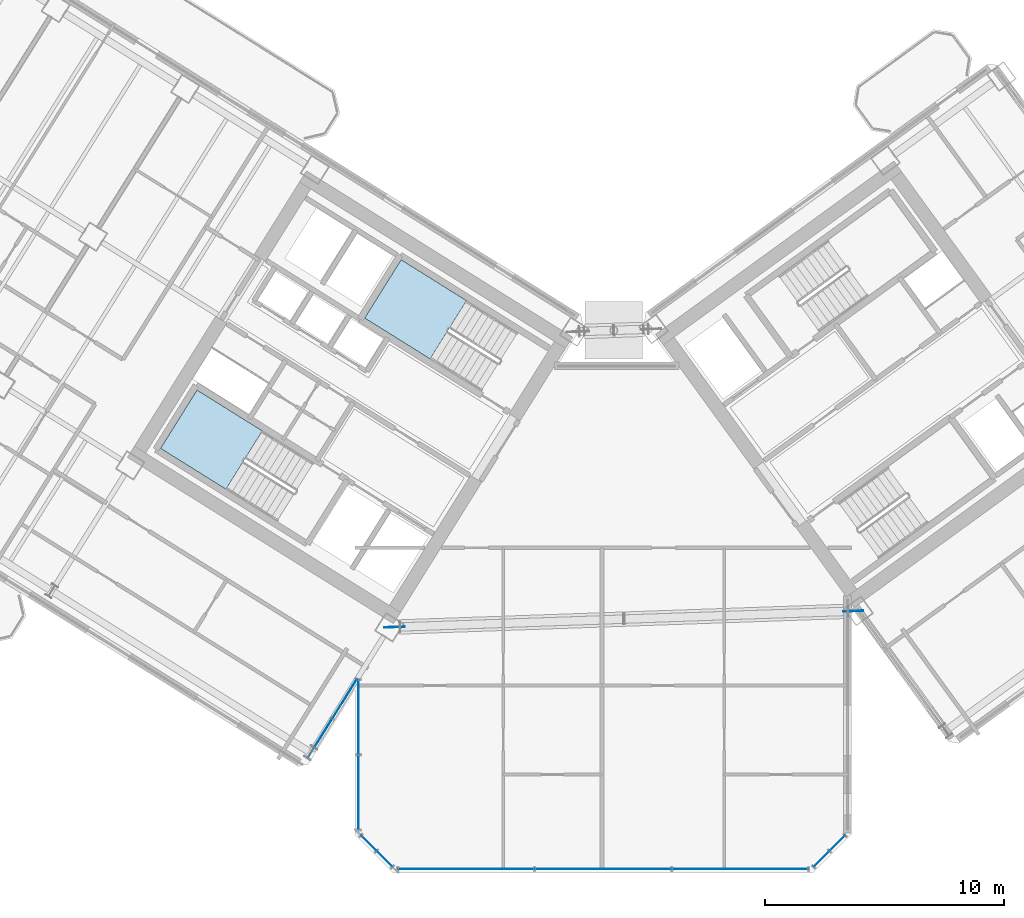
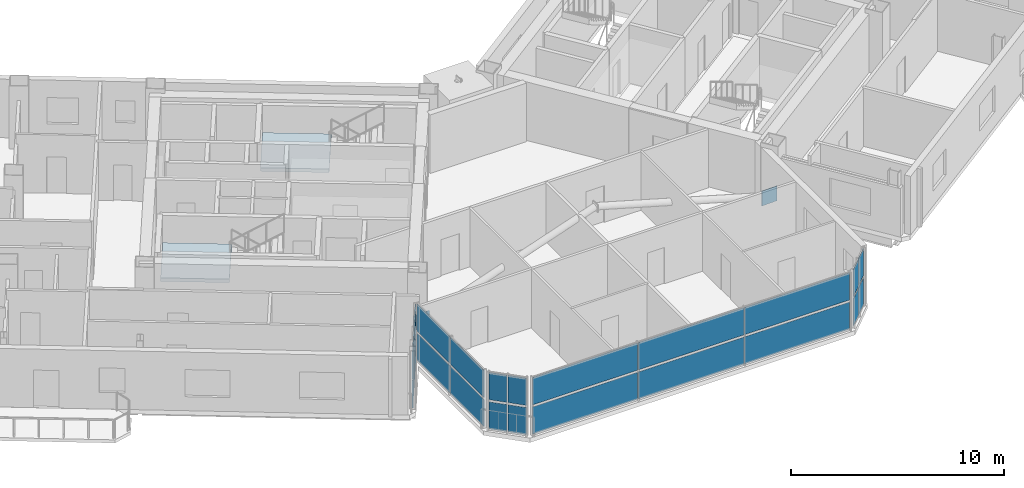
# One storey, part 12 of 29: 24 plates, 2 slabs, 7 elements without a shape of their own.
"""IFC4 building model written with IfcOpenShell, lengths in metres."""

from ifc_helpers import new_model, si_unit, direction, frame, origin, origin_2d, place, context, subcontext, project, spatial, polyline, rectangle, outline, extrude, source, transform, mapped, material, layer, layer_set, type_object, element, aggregate, save


model = new_model("IFC4")

# Units and contexts
model_context = context("Model", 3, precision=1e-05, world=origin(), true_north=direction((0.0, 1.0)))
body_context = subcontext(model_context, "Body", "Model", "MODEL_VIEW")
ifc_project = project(units=[si_unit("LENGTHUNIT", "METRE"), si_unit("AREAUNIT", "SQUARE_METRE"), si_unit("VOLUMEUNIT", "CUBIC_METRE"), si_unit("PLANEANGLEUNIT", "RADIAN"), si_unit("MASSUNIT", "GRAM", prefix="KILO")], contexts=[model_context])

# Site, building, storey
site_placement = place(None, origin())
site = spatial("IfcSite", under=ifc_project, at=site_placement, CompositionType="ELEMENT")
building_placement = place(site_placement, origin())
building = spatial("IfcBuilding", under=site, at=building_placement, Name="Tlacorven Tower", CompositionType="ELEMENT")
storey_placement = place(building_placement, frame((0.0, 0.0, 151.5)))
storey = spatial("IfcBuildingStorey", under=building, at=storey_placement, Name="L38", CompositionType="ELEMENT", Elevation=151.5)

# Stair, slab
ifc_material_1 = material(Name="Concrete C40/50", Category="concrete")
stair_type = type_object("IfcStairType", Name="ST-CORE-DLG", PredefinedType="HALF_TURN_STAIR", material=ifc_material_1)
stair_1_placement = place(storey_placement, origin())
stair_1 = element("IfcStair", 1, at=stair_1_placement, inside=storey, type_object=stair_type, Name="L38 Protected Exit Stair West 1", PredefinedType="HALF_TURN_STAIR")
ifc_layer_1 = layer(ifc_material_1, 0.199951171875)
ifc_layer_set_1 = layer_set([ifc_layer_1], Name="Concrete C40/50")
slab_type = type_object("IfcSlabType", Name="SL-LND-200", PredefinedType="LANDING", material=ifc_layer_set_1)
slab_1_placement = place(storey_placement, frame((0.0, 0.0, 1.60009765625)))
slab_1 = element("IfcSlab", 2, at=slab_1_placement, type_object=slab_type, Name="ST-W1 landing 1", PredefinedType="LANDING", context=body_context, shape_type="SweptSolid", body=[
    extrude(outline(polyline([(27.728515625, 20.315185546875), (24.9892578125, 22.02685546875), (23.463134765625, 19.58447265625), (26.2021484375, 17.872802734375), (27.728515625, 20.315185546875)])), origin(), (0.0, 0.0, 1.0), 0.199951171875),
])
aggregate(stair_1, [slab_1])

stair_2_placement = place(storey_placement, origin())
stair_2 = element("IfcStair", 3, at=stair_2_placement, inside=storey, type_object=stair_type, Name="L38 Protected Exit Stair West 2", PredefinedType="HALF_TURN_STAIR")
slab_2_placement = place(storey_placement, frame((0.0, 0.0, 1.60009765625)))
slab_2 = element("IfcSlab", 4, at=slab_2_placement, type_object=slab_type, Name="ST-W2 landing 1", PredefinedType="LANDING", context=body_context, shape_type="SweptSolid", body=[
    extrude(outline(polyline([(36.280029296875, 25.772705078125), (33.540771484375, 27.484375), (32.0146484375, 25.0419921875), (34.75390625, 23.33056640625), (36.280029296875, 25.772705078125)])), origin(), (0.0, 0.0, 1.0), 0.199951171875),
])
aggregate(stair_2, [slab_2])

# Plates
ifc_material_2 = material(Name="Steel S460M", Category="steel")
ifc_layer_2 = layer(ifc_material_2, 0.030029296875)
ifc_layer_set_2 = layer_set([ifc_layer_2], Name="Steel S460M")
plate_type_1 = type_object("IfcPlateType", Name="PL-NODE-PN1", PredefinedType="SHEET", material=ifc_layer_set_2)
shared_shape_1 = source(origin(), body_context, "Body", "SweptSolid", [
    extrude(rectangle(XDim=0.85009765625, YDim=0.030029296875, at=origin_2d()), origin(), (0.0, 0.0, 1.0), 0.85009765625),
])
for number, where, z_axis, x_axis, name in (
    (5, (33.26806640625, 12.0947265625, 0.043701171875), (0.0, 0.0, 1.0), (0.999390819423, 0.034899714212, 0.0), "L38 structural node gusset plate PRT-L38-W2"),
    (6, (52.4833984375, 12.765625, 0.043701171875), (0.0, 0.0, 1.0), (-0.999390835089, -0.034899265622, 0.0), "L38 structural node gusset plate PRT-L38-E2"),
):
    element("IfcPlate", number, at=place(storey_placement, frame(where, z_axis=z_axis, x_axis=x_axis)), inside=storey, type_object=plate_type_1, Name=name, PredefinedType="SHEET", context=body_context, shape_type="MappedRepresentation", body=[
        mapped(shared_shape_1, transform((0.0, 0.0, 0.0), scale=1.0)),
    ])

# Curtain wall, plates
ifc_material_3 = material(Name="Dark solar low-E double glazing in aluminium frame", Category="aluminium")
curtain_wall_type = type_object("IfcCurtainWallType", Name="CW-TWR-MID", PredefinedType="USERDEFINED", material=ifc_material_3)
curtain_wall_1_placement = place(storey_placement, origin())
curtain_wall_1 = element("IfcCurtainWall", 7, at=curtain_wall_1_placement, inside=storey, type_object=curtain_wall_type, Name="L38 CW-TWR-MID Curtain Wall 167", ObjectType="UNITISED CURTAIN WALL", PredefinedType="USERDEFINED")
ifc_material_4 = material(Name="High-wind dark solar tempered low-E glazing", Category="glass")
ifc_layer_3 = layer(ifc_material_4, 0.028076171875)
ifc_layer_set_3 = layer_set([ifc_layer_3], Name="High-wind dark solar tempered low-E glazing")
plate_type_2 = type_object("IfcPlateType", Name="CWP-03", PredefinedType="CURTAIN_PANEL", material=ifc_layer_set_3)
shared_shape_2 = source(origin(), body_context, "Body", "SweptSolid", [
    extrude(rectangle(XDim=0.885498046875, YDim=0.028076171875, at=origin_2d()), origin(), (0.0, 0.0, 1.0), 1.552978515625),
])
plate_1_placement = place(storey_placement, frame((51.816650390625, 3.04296875, 0.06103515625), z_axis=(0.0, 0.0, 1.0), x_axis=(-0.707106781187, -0.707106781187, 0.0)))
plate_1 = element("IfcPlate", 8, at=plate_1_placement, type_object=plate_type_2, Name="CW-L38-167 Glazing Panel 1", PredefinedType="CURTAIN_PANEL", context=body_context, shape_type="MappedRepresentation", body=[
    mapped(shared_shape_2, transform((0.0, 0.0, 0.0), scale=1.0)),
])
plate_2_placement = place(storey_placement, frame((51.816650390625, 3.04296875, 1.73583984375), z_axis=(0.0, 0.0, 1.0), x_axis=(-0.707106781187, -0.707106781187, 0.0)))
plate_2 = element("IfcPlate", 9, at=plate_2_placement, type_object=plate_type_2, Name="CW-L38-167 Glazing Panel 2", PredefinedType="CURTAIN_PANEL", context=body_context, shape_type="MappedRepresentation", body=[
    mapped(shared_shape_2, transform((0.0, 0.0, 0.0), scale=1.0)),
])
plate_3_placement = place(storey_placement, frame((51.1572265625, 2.38330078125, 0.06103515625), z_axis=(0.0, 0.0, 1.0), x_axis=(-0.707106781187, -0.707106781187, 0.0)))
plate_3 = element("IfcPlate", 10, at=plate_3_placement, type_object=plate_type_2, Name="CW-L38-167 Glazing Panel 3", PredefinedType="CURTAIN_PANEL", context=body_context, shape_type="MappedRepresentation", body=[
    mapped(shared_shape_2, transform((0.0, 0.0, 0.0), scale=1.0)),
])
plate_4_placement = place(storey_placement, frame((51.1572265625, 2.38330078125, 1.73583984375), z_axis=(0.0, 0.0, 1.0), x_axis=(-0.707106781187, -0.707106781187, 0.0)))
plate_4 = element("IfcPlate", 11, at=plate_4_placement, type_object=plate_type_2, Name="CW-L38-167 Glazing Panel 4", PredefinedType="CURTAIN_PANEL", context=body_context, shape_type="MappedRepresentation", body=[
    mapped(shared_shape_2, transform((0.0, 0.0, 0.0), scale=1.0)),
])
aggregate(curtain_wall_1, [plate_1, plate_2, plate_3, plate_4])

curtain_wall_2_placement = place(storey_placement, origin())
curtain_wall_2 = element("IfcCurtainWall", 12, at=curtain_wall_2_placement, inside=storey, type_object=curtain_wall_type, Name="L38 CW-TWR-MID Curtain Wall 169", ObjectType="UNITISED CURTAIN WALL", PredefinedType="USERDEFINED")
plate_5_placement = place(storey_placement, frame((32.8427734375, 2.38330078125, 0.06103515625), z_axis=(0.0, 0.0, 1.0), x_axis=(-0.707106781187, 0.707106781187, 0.0)))
plate_5 = element("IfcPlate", 13, at=plate_5_placement, type_object=plate_type_2, Name="CW-L38-169 Glazing Panel 1", PredefinedType="CURTAIN_PANEL", context=body_context, shape_type="MappedRepresentation", body=[
    mapped(shared_shape_2, transform((0.0, 0.0, 0.0), scale=1.0)),
])
plate_6_placement = place(storey_placement, frame((32.8427734375, 2.38330078125, 1.73583984375), z_axis=(0.0, 0.0, 1.0), x_axis=(-0.707106781187, 0.707106781187, 0.0)))
plate_6 = element("IfcPlate", 14, at=plate_6_placement, type_object=plate_type_2, Name="CW-L38-169 Glazing Panel 2", PredefinedType="CURTAIN_PANEL", context=body_context, shape_type="MappedRepresentation", body=[
    mapped(shared_shape_2, transform((0.0, 0.0, 0.0), scale=1.0)),
])
plate_7_placement = place(storey_placement, frame((32.183349609375, 3.04296875, 0.06103515625), z_axis=(0.0, 0.0, 1.0), x_axis=(-0.707106781187, 0.707106781187, 0.0)))
plate_7 = element("IfcPlate", 15, at=plate_7_placement, type_object=plate_type_2, Name="CW-L38-169 Glazing Panel 3", PredefinedType="CURTAIN_PANEL", context=body_context, shape_type="MappedRepresentation", body=[
    mapped(shared_shape_2, transform((0.0, 0.0, 0.0), scale=1.0)),
])
plate_8_placement = place(storey_placement, frame((32.183349609375, 3.04296875, 1.73583984375), z_axis=(0.0, 0.0, 1.0), x_axis=(-0.707106781187, 0.707106781187, 0.0)))
plate_8 = element("IfcPlate", 16, at=plate_8_placement, type_object=plate_type_2, Name="CW-L38-169 Glazing Panel 4", PredefinedType="CURTAIN_PANEL", context=body_context, shape_type="MappedRepresentation", body=[
    mapped(shared_shape_2, transform((0.0, 0.0, 0.0), scale=1.0)),
])
aggregate(curtain_wall_2, [plate_5, plate_6, plate_7, plate_8])

curtain_wall_3_placement = place(storey_placement, origin())
curtain_wall_3 = element("IfcCurtainWall", 17, at=curtain_wall_3_placement, inside=storey, type_object=curtain_wall_type, Name="L38 CW-TWR-MID Curtain Wall 168", ObjectType="UNITISED CURTAIN WALL", PredefinedType="USERDEFINED")
shared_shape_3 = source(origin(), body_context, "Body", "SweptSolid", [
    extrude(rectangle(XDim=5.67626953125, YDim=0.028076171875, at=origin_2d()), origin(), (0.0, 0.0, 1.0), 1.552978515625),
])
plate_9_placement = place(storey_placement, frame((47.739501953125, 1.9599609375, 0.06103515625), z_axis=(0.0, 0.0, 1.0), x_axis=(-1.0, 0.0, 0.0)))
plate_9 = element("IfcPlate", 18, at=plate_9_placement, type_object=plate_type_2, Name="CW-L38-168 Glazing Panel 1", PredefinedType="CURTAIN_PANEL", context=body_context, shape_type="MappedRepresentation", body=[
    mapped(shared_shape_3, transform((0.0, 0.0, 0.0), scale=1.0)),
])
plate_10_placement = place(storey_placement, frame((47.739501953125, 1.9599609375, 1.73583984375), z_axis=(0.0, 0.0, 1.0), x_axis=(-1.0, 0.0, 0.0)))
plate_10 = element("IfcPlate", 19, at=plate_10_placement, type_object=plate_type_2, Name="CW-L38-168 Glazing Panel 2", PredefinedType="CURTAIN_PANEL", context=body_context, shape_type="MappedRepresentation", body=[
    mapped(shared_shape_3, transform((0.0, 0.0, 0.0), scale=1.0)),
])
plate_11_placement = place(storey_placement, frame((36.260498046875, 1.9599609375, 0.06103515625), z_axis=(0.0, 0.0, 1.0), x_axis=(-1.0, 0.0, 0.0)))
plate_11 = element("IfcPlate", 20, at=plate_11_placement, type_object=plate_type_2, Name="CW-L38-168 Glazing Panel 5", PredefinedType="CURTAIN_PANEL", context=body_context, shape_type="MappedRepresentation", body=[
    mapped(shared_shape_3, transform((0.0, 0.0, 0.0), scale=1.0)),
])
plate_12_placement = place(storey_placement, frame((36.260498046875, 1.9599609375, 1.73583984375), z_axis=(0.0, 0.0, 1.0), x_axis=(-1.0, 0.0, 0.0)))
plate_12 = element("IfcPlate", 21, at=plate_12_placement, type_object=plate_type_2, Name="CW-L38-168 Glazing Panel 6", PredefinedType="CURTAIN_PANEL", context=body_context, shape_type="MappedRepresentation", body=[
    mapped(shared_shape_3, transform((0.0, 0.0, 0.0), scale=1.0)),
])
shared_shape_4 = source(origin(), body_context, "Body", "SweptSolid", [
    extrude(rectangle(XDim=5.708740234375, YDim=0.028076171875, at=origin_2d()), origin(), (0.0, 0.0, 1.0), 1.552978515625),
])
plate_13_placement = place(storey_placement, frame((42.0, 1.9599609375, 0.06103515625), z_axis=(0.0, 0.0, 1.0), x_axis=(-1.0, 0.0, 0.0)))
plate_13 = element("IfcPlate", 22, at=plate_13_placement, type_object=plate_type_2, Name="CW-L38-168 Glazing Panel 3", PredefinedType="CURTAIN_PANEL", context=body_context, shape_type="MappedRepresentation", body=[
    mapped(shared_shape_4, transform((0.0, 0.0, 0.0), scale=1.0)),
])
plate_14_placement = place(storey_placement, frame((42.0, 1.9599609375, 1.73583984375), z_axis=(0.0, 0.0, 1.0), x_axis=(-1.0, 0.0, 0.0)))
plate_14 = element("IfcPlate", 23, at=plate_14_placement, type_object=plate_type_2, Name="CW-L38-168 Glazing Panel 4", PredefinedType="CURTAIN_PANEL", context=body_context, shape_type="MappedRepresentation", body=[
    mapped(shared_shape_4, transform((0.0, 0.0, 0.0), scale=1.0)),
])
aggregate(curtain_wall_3, [plate_9, plate_10, plate_13, plate_14, plate_11, plate_12])

curtain_wall_4_placement = place(storey_placement, origin())
curtain_wall_4 = element("IfcCurtainWall", 24, at=curtain_wall_4_placement, inside=storey, type_object=curtain_wall_type, Name="L38 CW-TWR-MID Curtain Wall 170", ObjectType="UNITISED CURTAIN WALL", PredefinedType="USERDEFINED")
shared_shape_5 = source(origin(), body_context, "Body", "SweptSolid", [
    extrude(rectangle(XDim=3.101806640625, YDim=0.028076171875, at=origin_2d()), origin(), (0.0, 0.0, 1.0), 1.552978515625),
])
plate_15_placement = place(storey_placement, frame((31.760009765625, 5.173095703125, 0.06103515625), z_axis=(0.0, 0.0, 1.0), x_axis=(0.0, 1.0, 0.0)))
plate_15 = element("IfcPlate", 25, at=plate_15_placement, type_object=plate_type_2, Name="CW-L38-170 Glazing Panel 1", PredefinedType="CURTAIN_PANEL", context=body_context, shape_type="MappedRepresentation", body=[
    mapped(shared_shape_5, transform((0.0, 0.0, 0.0), scale=1.0)),
])
plate_16_placement = place(storey_placement, frame((31.760009765625, 5.173095703125, 1.73583984375), z_axis=(0.0, 0.0, 1.0), x_axis=(0.0, 1.0, 0.0)))
plate_16 = element("IfcPlate", 26, at=plate_16_placement, type_object=plate_type_2, Name="CW-L38-170 Glazing Panel 2", PredefinedType="CURTAIN_PANEL", context=body_context, shape_type="MappedRepresentation", body=[
    mapped(shared_shape_5, transform((0.0, 0.0, 0.0), scale=1.0)),
])
plate_17_placement = place(storey_placement, frame((31.760009765625, 8.32177734375, 0.06103515625), z_axis=(0.0, 0.0, 1.0), x_axis=(0.0, 1.0, 0.0)))
plate_17 = element("IfcPlate", 27, at=plate_17_placement, type_object=plate_type_2, Name="CW-L38-170 Glazing Panel 3", PredefinedType="CURTAIN_PANEL", context=body_context, shape_type="MappedRepresentation", body=[
    mapped(shared_shape_5, transform((0.0, 0.0, 0.0), scale=1.0)),
])
plate_18_placement = place(storey_placement, frame((31.760009765625, 8.32177734375, 1.73583984375), z_axis=(0.0, 0.0, 1.0), x_axis=(0.0, 1.0, 0.0)))
plate_18 = element("IfcPlate", 28, at=plate_18_placement, type_object=plate_type_2, Name="CW-L38-170 Glazing Panel 4", PredefinedType="CURTAIN_PANEL", context=body_context, shape_type="MappedRepresentation", body=[
    mapped(shared_shape_5, transform((0.0, 0.0, 0.0), scale=1.0)),
])
aggregate(curtain_wall_4, [plate_15, plate_16, plate_17, plate_18])

curtain_wall_5_placement = place(storey_placement, origin())
curtain_wall_5 = element("IfcCurtainWall", 29, at=curtain_wall_5_placement, inside=storey, type_object=curtain_wall_type, Name="L38 CW-TWR-MID Curtain Wall 171", ObjectType="UNITISED CURTAIN WALL", PredefinedType="USERDEFINED")
shared_shape_6 = source(origin(), body_context, "Body", "SweptSolid", [
    extrude(rectangle(XDim=1.90380859375, YDim=0.028076171875, at=origin_2d()), origin(), (0.0, 0.0, 1.0), 1.552978515625),
])
plate_19_placement = place(storey_placement, frame((31.1728515625, 9.089111328125, 0.06103515625), z_axis=(0.0, 0.0, 1.0), x_axis=(-0.529918710919, -0.848048441905, 0.0)))
plate_19 = element("IfcPlate", 30, at=plate_19_placement, type_object=plate_type_2, Name="CW-L38-171 Glazing Panel 1", PredefinedType="CURTAIN_PANEL", context=body_context, shape_type="MappedRepresentation", body=[
    mapped(shared_shape_6, transform((0.0, 0.0, 0.0), scale=1.0)),
])
plate_20_placement = place(storey_placement, frame((31.1728515625, 9.089111328125, 1.73583984375), z_axis=(0.0, 0.0, 1.0), x_axis=(-0.529918710919, -0.848048441905, 0.0)))
plate_20 = element("IfcPlate", 31, at=plate_20_placement, type_object=plate_type_2, Name="CW-L38-171 Glazing Panel 2", PredefinedType="CURTAIN_PANEL", context=body_context, shape_type="MappedRepresentation", body=[
    mapped(shared_shape_6, transform((0.0, 0.0, 0.0), scale=1.0)),
])
plate_21_placement = place(storey_placement, frame((30.13916015625, 7.4345703125, 0.06103515625), z_axis=(0.0, 0.0, 1.0), x_axis=(-0.529918710919, -0.848048441905, 0.0)))
plate_21 = element("IfcPlate", 32, at=plate_21_placement, type_object=plate_type_2, Name="CW-L38-171 Glazing Panel 3", PredefinedType="CURTAIN_PANEL", context=body_context, shape_type="MappedRepresentation", body=[
    mapped(shared_shape_6, transform((0.0, 0.0, 0.0), scale=1.0)),
])
plate_22_placement = place(storey_placement, frame((30.13916015625, 7.4345703125, 1.73583984375), z_axis=(0.0, 0.0, 1.0), x_axis=(-0.529918710919, -0.848048441905, 0.0)))
plate_22 = element("IfcPlate", 33, at=plate_22_placement, type_object=plate_type_2, Name="CW-L38-171 Glazing Panel 4", PredefinedType="CURTAIN_PANEL", context=body_context, shape_type="MappedRepresentation", body=[
    mapped(shared_shape_6, transform((0.0, 0.0, 0.0), scale=1.0)),
])
aggregate(curtain_wall_5, [plate_19, plate_20, plate_21, plate_22])

save(model, "model.ifc")
